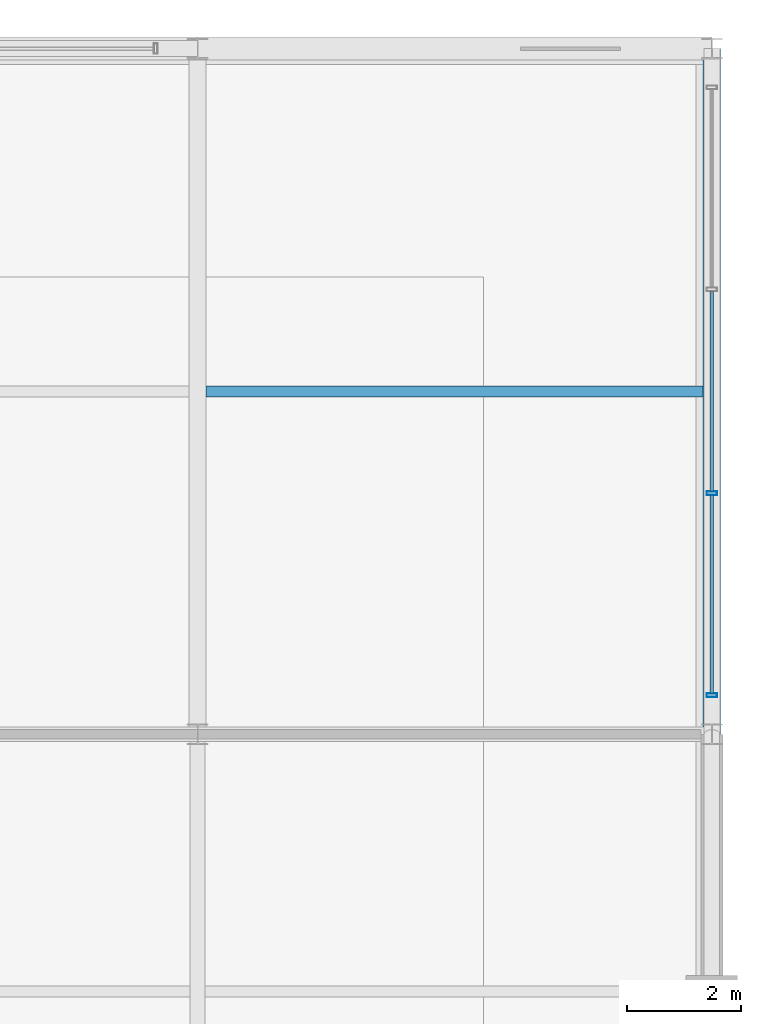
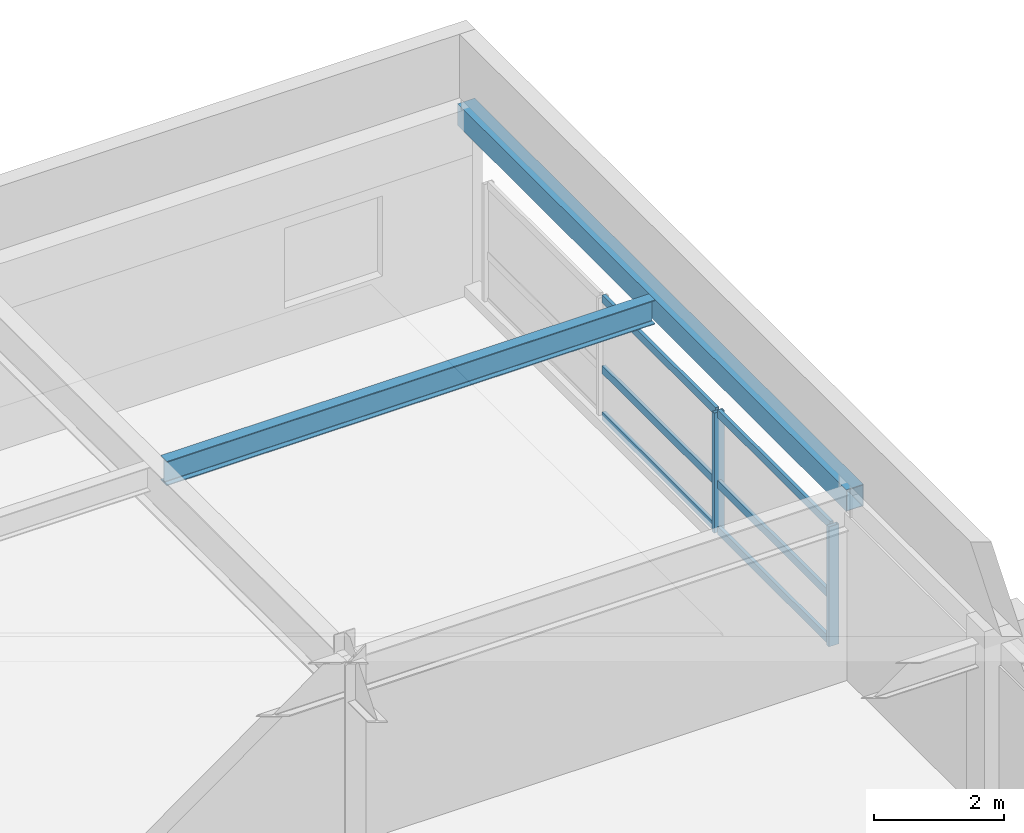
# One storey, part 82 of 108: 8 members, 2 beams, 1 element without a shape of its own.
"""IFC4 building model written with IfcOpenShell, lengths in metres."""

from ifc_helpers import new_model, si_unit, direction, frame, origin, origin_2d, place, context, subcontext, project, spatial, hollow_rectangle, i_section, extrude, material, material_profile, profile_set, type_object, element, aggregate, save


model = new_model("IFC4")

# Units and contexts
model_context = context("Model", 3, precision=1e-05, world=origin(), true_north=direction((0.0, 1.0)))
body_context = subcontext(model_context, "Body", "Model", "MODEL_VIEW")
ifc_project = project(units=[si_unit("LENGTHUNIT", "METRE"), si_unit("AREAUNIT", "SQUARE_METRE"), si_unit("VOLUMEUNIT", "CUBIC_METRE"), si_unit("PLANEANGLEUNIT", "RADIAN"), si_unit("MASSUNIT", "GRAM", prefix="KILO")], contexts=[model_context])

# Site, building, storey
site_placement = place(None, origin())
site = spatial("IfcSite", under=ifc_project, at=site_placement, CompositionType="ELEMENT")
building_placement = place(site_placement, origin())
building = spatial("IfcBuilding", under=site, at=building_placement, Name="Kaldorvane Square Convention Centre", CompositionType="ELEMENT")
storey_placement = place(building_placement, frame((0.0, 0.0, 23.399993896484375)))
storey = spatial("IfcBuildingStorey", under=building, at=storey_placement, Name="L04", CompositionType="ELEMENT", Elevation=23.399993896484375)

# Beams
ifc_material_1 = material(Name="Steel ASTM A992 Gr. 50", Category="steel")
ifc_material_profile_1 = material_profile(ifc_material_1, i_section(OverallWidth=0.1912994384765625, OverallDepth=0.4600067138671875, WebThickness=0.0099029541015625, FlangeThickness=0.0160064697265625, FilletRadius=0.01019287109375, at=origin_2d()), Name="W18X55")
ifc_profile_set_1 = profile_set([ifc_material_profile_1], Name="Steel ASTM A992 Gr. 50")
beam_type_1 = type_object("IfcBeamType", Name="BM-JS-W18X55", PredefinedType="JOIST", material=ifc_profile_set_1)
beam_1_placement = place(storey_placement, frame((165.14649963378906, 111.0, 3.2960052490234375), z_axis=(1.0, 0.0, 0.0), x_axis=(0.0, 1.0, 0.0)))
element("IfcBeam", 1, at=beam_1_placement, inside=storey, type_object=beam_type_1, Name="Secondary Floor Joist (L04)", PredefinedType="JOIST", context=body_context, shape_type="SweptSolid", body=[
    extrude(i_section(OverallWidth=0.1912994384765625, OverallDepth=0.4600067138671875, WebThickness=0.0099029541015625, FlangeThickness=0.0160064697265625, FilletRadius=0.01019287109375, at=origin_2d()), origin(), (0.0, 0.0, 1.0), 8.701095581054688),
])
ifc_material_2 = material(Name="Steel ASTM A500 Gr. C", Category="steel")
ifc_material_profile_2 = material_profile(ifc_material_2, hollow_rectangle(XDim=0.3047943115234375, YDim=0.406402587890625, WallThickness=0.0117950439453125, at=origin_2d()), Name="HSS16X12X1/2")
ifc_profile_set_2 = profile_set([ifc_material_profile_2], Name="Steel ASTM A500 Gr. C")
beam_type_2 = type_object("IfcBeamType", Name="BM-SP-HSS16", PredefinedType="SPANDREL", material=ifc_profile_set_2)
beam_2_placement = place(storey_placement, frame((174.0, 105.0, 3.3227996826171875), z_axis=(0.0, 1.0, 0.0), x_axis=(-1.0, 0.0, 0.0)))
element("IfcBeam", 2, at=beam_2_placement, inside=storey, type_object=beam_type_2, Name="End Spandrel (L04)", PredefinedType="SPANDREL", context=body_context, shape_type="SweptSolid", body=[
    extrude(hollow_rectangle(XDim=0.3047943115234375, YDim=0.406402587890625, WallThickness=0.0117950439453125, at=origin_2d()), origin(), (0.0, 0.0, 1.0), 12.0),
])

# Curtain wall, members
ifc_material_3 = material(Name="Anodized Aluminum and Low-E Insulated Glazing", Category="aluminium")
curtain_wall_type = type_object("IfcCurtainWallType", Name="CW-UNI-P42-09", PredefinedType="USERDEFINED", material=ifc_material_3)
curtain_wall_placement = place(storey_placement, origin())
curtain_wall = element("IfcCurtainWall", 3, at=curtain_wall_placement, inside=storey, type_object=curtain_wall_type, Name="Curtain Wall CW-06 (L04)", ObjectType="UNITISED GLAZING", PredefinedType="USERDEFINED")
ifc_material_profile_3 = material_profile(ifc_material_3, hollow_rectangle(XDim=0.06500244140625, YDim=0.17999267578125, WallThickness=0.0034942626953125, at=origin_2d()), Name="CWM-180X65")
ifc_profile_set_3 = profile_set([ifc_material_profile_3], Name="Anodized Aluminum and Low-E Insulated Glazing")
member_type_1 = type_object("IfcMemberType", Name="CW-MUL-180", PredefinedType="MULLION", material=ifc_profile_set_3)
member_1_placement = place(storey_placement, frame((174.0, 105.6824951171875, 0.1500091552734375), z_axis=(0.0, 0.0, 1.0), x_axis=(0.0, 1.0, 0.0)))
member_1 = element("IfcMember", 4, at=member_1_placement, type_object=member_type_1, Name="CW-06 mullion 1", PredefinedType="MULLION", context=body_context, shape_type="SweptSolid", body=[
    extrude(hollow_rectangle(XDim=0.06500244140625, YDim=0.17999267578125, WallThickness=0.0034942626953125, at=origin_2d()), origin(), (0.0, 0.0, 1.0), 2.2599945068359375),
])
member_2_placement = place(storey_placement, frame((174.0, 109.21665954589844, 0.1500091552734375), z_axis=(0.0, 0.0, 1.0), x_axis=(0.0, 1.0, 0.0)))
member_2 = element("IfcMember", 5, at=member_2_placement, type_object=member_type_1, Name="CW-06 mullion 2", PredefinedType="MULLION", context=body_context, shape_type="SweptSolid", body=[
    extrude(hollow_rectangle(XDim=0.06500244140625, YDim=0.17999267578125, WallThickness=0.0034942626953125, at=origin_2d()), origin(), (0.0, 0.0, 1.0), 2.2599945068359375),
])
ifc_material_profile_4 = material_profile(ifc_material_3, hollow_rectangle(XDim=0.05999755859375, YDim=0.149993896484375, WallThickness=0.003204345703125, at=origin_2d()), Name="CWT-150X60")
ifc_profile_set_4 = profile_set([ifc_material_profile_4], Name="Anodized Aluminum and Low-E Insulated Glazing")
member_type_2 = type_object("IfcMemberType", Name="CW-TRN-150", PredefinedType="USERDEFINED", material=ifc_profile_set_4)
member_3_placement = place(storey_placement, frame((174.0, 105.71499633789062, 0.1800079345703125), z_axis=(0.0, 1.0, 0.0), x_axis=(-1.0, 0.0, 0.0)))
member_3 = element("IfcMember", 6, at=member_3_placement, type_object=member_type_2, Name="CW-06 transom 1.1", ObjectType="TRANSOM", PredefinedType="USERDEFINED", context=body_context, shape_type="SweptSolid", body=[
    extrude(hollow_rectangle(XDim=0.05999755859375, YDim=0.149993896484375, WallThickness=0.003204345703125, at=origin_2d()), origin(), (0.0, 0.0, 1.0), 3.46917724609375),
])
member_4_placement = place(storey_placement, frame((174.0, 105.71499633789062, 1.0500030517578125), z_axis=(0.0, 1.0, 0.0), x_axis=(-1.0, 0.0, 0.0)))
member_4 = element("IfcMember", 7, at=member_4_placement, type_object=member_type_2, Name="CW-06 transom 1.2", ObjectType="TRANSOM", PredefinedType="USERDEFINED", context=body_context, shape_type="SweptSolid", body=[
    extrude(hollow_rectangle(XDim=0.05999755859375, YDim=0.149993896484375, WallThickness=0.003204345703125, at=origin_2d()), origin(), (0.0, 0.0, 1.0), 3.46917724609375),
])
member_5_placement = place(storey_placement, frame((174.0, 105.71499633789062, 2.3800048828125), z_axis=(0.0, 1.0, 0.0), x_axis=(-1.0, 0.0, 0.0)))
member_5 = element("IfcMember", 8, at=member_5_placement, type_object=member_type_2, Name="CW-06 transom 1.3", ObjectType="TRANSOM", PredefinedType="USERDEFINED", context=body_context, shape_type="SweptSolid", body=[
    extrude(hollow_rectangle(XDim=0.05999755859375, YDim=0.149993896484375, WallThickness=0.003204345703125, at=origin_2d()), origin(), (0.0, 0.0, 1.0), 3.46917724609375),
])
member_6_placement = place(storey_placement, frame((174.0, 109.24916076660156, 0.1800079345703125), z_axis=(0.0, 1.0, 0.0), x_axis=(-1.0, 0.0, 0.0)))
member_6 = element("IfcMember", 9, at=member_6_placement, type_object=member_type_2, Name="CW-06 transom 2.1", ObjectType="TRANSOM", PredefinedType="USERDEFINED", context=body_context, shape_type="SweptSolid", body=[
    extrude(hollow_rectangle(XDim=0.05999755859375, YDim=0.149993896484375, WallThickness=0.003204345703125, at=origin_2d()), origin(), (0.0, 0.0, 1.0), 3.501678466796875),
])
member_7_placement = place(storey_placement, frame((174.0, 109.24916076660156, 1.0500030517578125), z_axis=(0.0, 1.0, 0.0), x_axis=(-1.0, 0.0, 0.0)))
member_7 = element("IfcMember", 10, at=member_7_placement, type_object=member_type_2, Name="CW-06 transom 2.2", ObjectType="TRANSOM", PredefinedType="USERDEFINED", context=body_context, shape_type="SweptSolid", body=[
    extrude(hollow_rectangle(XDim=0.05999755859375, YDim=0.149993896484375, WallThickness=0.003204345703125, at=origin_2d()), origin(), (0.0, 0.0, 1.0), 3.501678466796875),
])
member_8_placement = place(storey_placement, frame((174.0, 109.24916076660156, 2.3800048828125), z_axis=(0.0, 1.0, 0.0), x_axis=(-1.0, 0.0, 0.0)))
member_8 = element("IfcMember", 11, at=member_8_placement, type_object=member_type_2, Name="CW-06 transom 2.3", ObjectType="TRANSOM", PredefinedType="USERDEFINED", context=body_context, shape_type="SweptSolid", body=[
    extrude(hollow_rectangle(XDim=0.05999755859375, YDim=0.149993896484375, WallThickness=0.003204345703125, at=origin_2d()), origin(), (0.0, 0.0, 1.0), 3.501678466796875),
])
aggregate(curtain_wall, [member_1, member_2, member_3, member_4, member_5, member_6, member_7, member_8])

save(model, "model.ifc")
